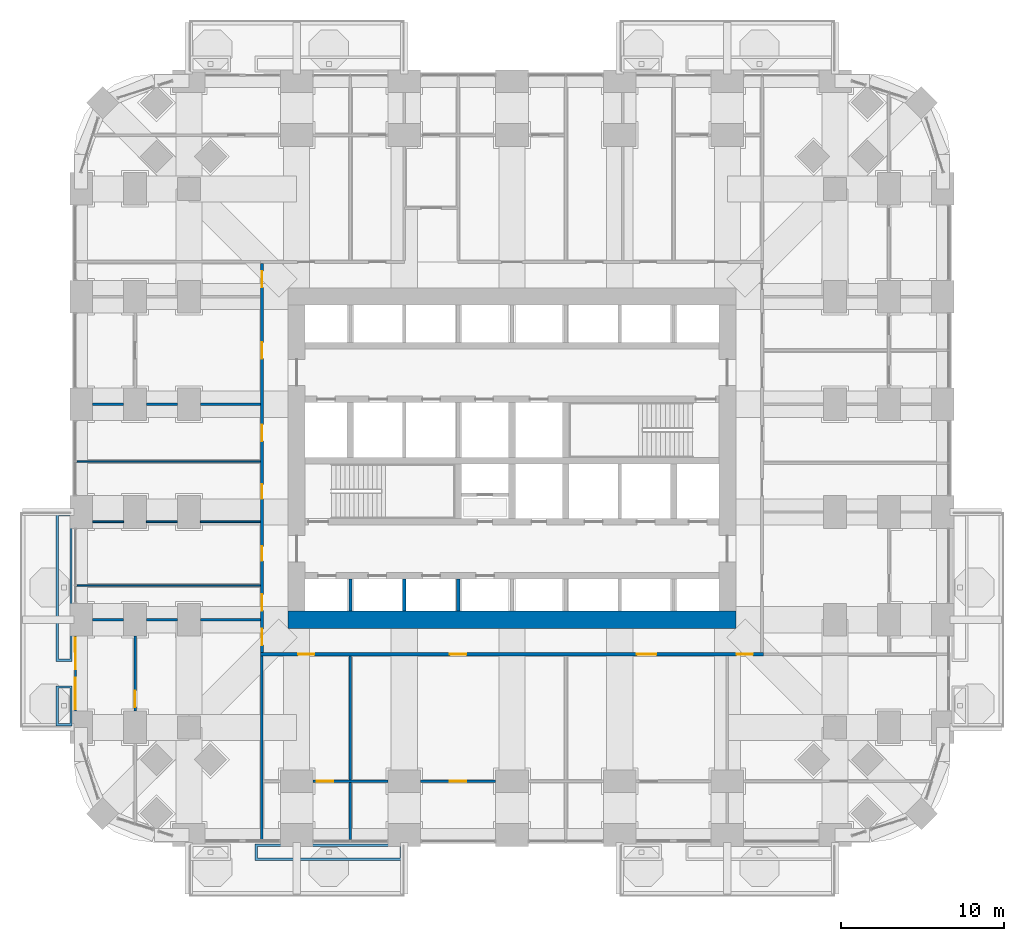
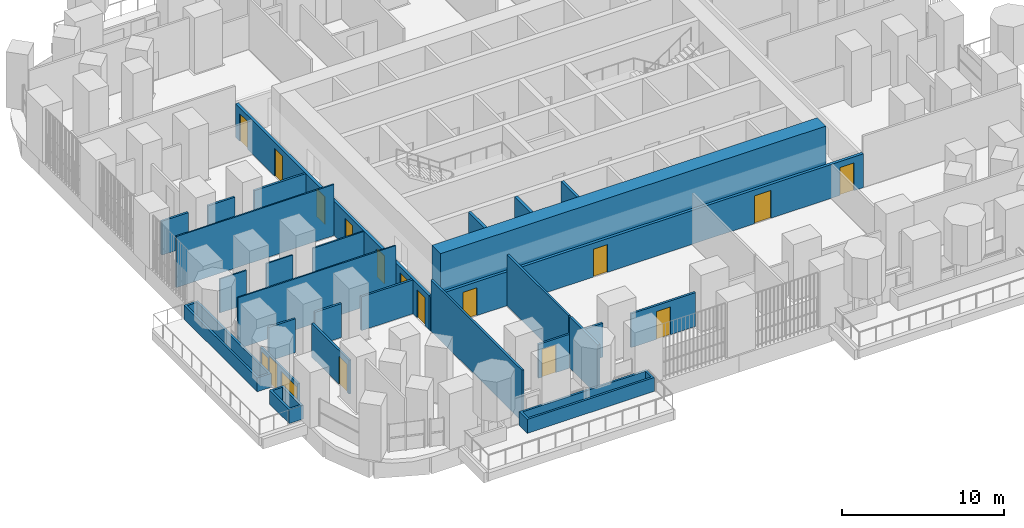
# One storey, part 17 of 27: 27 walls, 15 doors, 2 windows, 17 openings.
"""IFC4 building model written with IfcOpenShell, lengths in metres."""

from ifc_helpers import new_model, si_unit, direction, frame, frame_2d, origin, place, context, subcontext, project, spatial, polyline, rectangle, outline, extrude, material, layer, layer_set, type_object, element, fill, save


model = new_model("IFC4")

# Units and contexts
model_context = context("Model", 3, precision=1e-05, world=origin(), true_north=direction((0.0, 1.0)))
body_context = subcontext(model_context, "Body", "Model", "MODEL_VIEW")
ifc_project = project(units=[si_unit("LENGTHUNIT", "METRE"), si_unit("AREAUNIT", "SQUARE_METRE"), si_unit("VOLUMEUNIT", "CUBIC_METRE"), si_unit("PLANEANGLEUNIT", "RADIAN"), si_unit("MASSUNIT", "GRAM", prefix="KILO")], contexts=[model_context])

# Site, building, storey
site_placement = place(None, origin())
site = spatial("IfcSite", under=ifc_project, at=site_placement, CompositionType="ELEMENT")
building_placement = place(site_placement, origin())
building = spatial("IfcBuilding", under=site, at=building_placement, Name="Cobogo Forest Laboratory Tower", CompositionType="ELEMENT")
storey_placement = place(building_placement, frame((0.0, 0.0, 71.699951171875)))
storey = spatial("IfcBuildingStorey", under=building, at=storey_placement, Name="L16", CompositionType="ELEMENT", Elevation=71.699951171875)

# Wall
ifc_material_1 = material(Name="Concrete HA-50 (C50/60)", Category="concrete")
ifc_layer_1 = layer(ifc_material_1, 1.050048828125)
ifc_layer_set_1 = layer_set([ifc_layer_1], Name="CW1050 core outer wall 1050")
wall_type_1 = type_object("IfcWallType", Name="CW1050 core outer wall 1050", PredefinedType="SHEAR", material=ifc_layer_set_1)
wall_1_placement = place(storey_placement, frame((12.675048828125, 13.199951171875, 0.0), z_axis=(0.0, 0.0, 1.0), x_axis=(1.0, 0.0, 0.0)))
element("IfcWall", 1, at=wall_1_placement, inside=storey, type_object=wall_type_1, Name="Core wall CO-S L16", PredefinedType="SHEAR", context=body_context, shape_type="SweptSolid", body=[
    extrude(rectangle(XDim=27.449951171875, YDim=1.050048828125, at=frame_2d((13.72509765625, 0.0))), origin(), (0.0, 0.0, 1.0), 4.199951171875),
])

# Wall, openings, door, windows
ifc_material_2 = material(Name="Aluminium framed glazed screen", Category="aluminium")
ifc_layer_2 = layer(ifc_material_2, 0.14990234375)
ifc_layer_set_2 = layer_set([ifc_layer_2], Name="GS1 glazed door screen 150")
wall_type_2 = type_object("IfcWallType", Name="GS1 glazed door screen 150", PredefinedType="SOLIDWALL", material=ifc_layer_set_2)
wall_2_placement = place(storey_placement, frame((-0.35009765625, 12.199951171875, 0.0), z_axis=(0.0, 0.0, 1.0), x_axis=(0.0, -1.0, 0.0)))
wall_2 = element("IfcWall", 2, at=wall_2_placement, inside=storey, type_object=wall_type_2, Name="Door screen BAL-W1 L16", PredefinedType="SOLIDWALL", context=body_context, shape_type="SweptSolid", body=[
    extrude(rectangle(XDim=4.599853515625, YDim=0.14990234375, at=frame_2d((2.2998046875, 0.0))), origin(), (0.0, 0.0, 1.0), 2.050048828125),
])
opening_1_placement = place(wall_2_placement, frame((1.050048828125, 0.0, 0.0)))
opening_1 = element("IfcOpeningElement", 3, at=opening_1_placement, cuts=wall_2, Name="Opening L16-D08", PredefinedType="OPENING", context=body_context, shape_type="SweptSolid", body=[
    extrude(rectangle(XDim=1.0, YDim=2.0, at=frame_2d((0.5, 1.0))), frame((0.0, 0.0849609375, 0.0), z_axis=(0.0, -1.0, 0.0), x_axis=(1.0, 0.0, 0.0)), (0.0, 0.0, 1.0), 0.169921875),
])
opening_2_placement = place(wall_2_placement, frame((0.10009765625, 0.0, 0.10009765625)))
opening_2 = element("IfcOpeningElement", 4, at=opening_2_placement, cuts=wall_2, Name="Opening L16-W07", PredefinedType="OPENING", context=body_context, shape_type="SweptSolid", body=[
    extrude(rectangle(XDim=0.85009765625, YDim=1.64990234375, at=frame_2d((0.425048828125, 0.824951171875))), frame((0.0, 0.0849609375, 0.0), z_axis=(0.0, -1.0, 0.0), x_axis=(1.0, 0.0, 0.0)), (0.0, 0.0, 1.0), 0.169921875),
])
opening_3_placement = place(wall_2_placement, frame((2.550048828125, 0.0, 0.10009765625)))
opening_3 = element("IfcOpeningElement", 5, at=opening_3_placement, cuts=wall_2, Name="Opening L16-W05", PredefinedType="OPENING", context=body_context, shape_type="SweptSolid", body=[
    extrude(rectangle(XDim=1.949951171875, YDim=1.64990234375, at=frame_2d((0.97509765625, 0.824951171875))), frame((0.0, 0.0849609375, 0.0), z_axis=(0.0, -1.0, 0.0), x_axis=(1.0, 0.0, 0.0)), (0.0, 0.0, 1.0), 0.169921875),
])
ifc_material_3 = material(Name="Aluminium glazed door", Category="aluminium")
door_type_1 = type_object("IfcDoorType", Name="DB2 balcony door 1000 glazed 2000 high", OperationType="SINGLE_SWING_LEFT", PredefinedType="DOOR", material=ifc_material_3)
door_1_placement = place(opening_1_placement, origin())
door_1 = element("IfcDoor", 6, at=door_1_placement, inside=storey, type_object=door_type_1, Name="Door L16-BAL-W1", OperationType="SINGLE_SWING_LEFT", OverallHeight=2.0, OverallWidth=1.0, PredefinedType="DOOR", context=body_context, shape_type="SweptSolid", body=[
    extrude(rectangle(XDim=1.0, YDim=2.0, at=frame_2d((0.5, 1.0))), frame((0.0, 0.02490234375, 0.0), z_axis=(0.0, -1.0, 0.0), x_axis=(1.0, 0.0, 0.0)), (0.0, 0.0, 1.0), 0.050048828125),
])
fill(opening_1, door_1)
ifc_material_4 = material(Name="Aluminium framed glazing", Category="aluminium")
window_type_1 = type_object("IfcWindowType", Name="WG10 fixed glazed light 850x1650", PartitioningType="SINGLE_PANEL", PredefinedType="WINDOW", material=ifc_material_4)
window_1_placement = place(opening_2_placement, origin())
window_1 = element("IfcWindow", 7, at=window_1_placement, inside=storey, type_object=window_type_1, Name="Window L16-BAL-W1-1", OverallHeight=1.64990234375, OverallWidth=0.85009765625, PartitioningType="SINGLE_PANEL", PredefinedType="WINDOW", context=body_context, shape_type="SweptSolid", body=[
    extrude(rectangle(XDim=0.85009765625, YDim=1.64990234375, at=frame_2d((0.425048828125, 0.824951171875))), frame((0.0, 0.030029296875, 0.0), z_axis=(0.0, -1.0, 0.0), x_axis=(1.0, 0.0, 0.0)), (0.0, 0.0, 1.0), 0.06005859375),
])
fill(opening_2, window_1)
window_type_2 = type_object("IfcWindowType", Name="WG9 fixed glazed light 1950x1650", PartitioningType="SINGLE_PANEL", PredefinedType="WINDOW", material=ifc_material_4)
window_2_placement = place(opening_3_placement, origin())
window_2 = element("IfcWindow", 8, at=window_2_placement, inside=storey, type_object=window_type_2, Name="Window L16-BAL-W1-2", OverallHeight=1.64990234375, OverallWidth=1.949951171875, PartitioningType="SINGLE_PANEL", PredefinedType="WINDOW", context=body_context, shape_type="SweptSolid", body=[
    extrude(rectangle(XDim=1.949951171875, YDim=1.64990234375, at=frame_2d((0.97509765625, 0.824951171875))), frame((0.0, 0.030029296875, 0.0), z_axis=(0.0, -1.0, 0.0), x_axis=(1.0, 0.0, 0.0)), (0.0, 0.0, 1.0), 0.06005859375),
])
fill(opening_3, window_2)

# Wall
ifc_material_5 = material(Name="Gypsum board on steel studs", Category="steel")
ifc_layer_3 = layer(ifc_material_5, 0.14990234375)
ifc_layer_set_3 = layer_set([ifc_layer_3], Name="PT1 laboratory partition 150")
wall_type_3 = type_object("IfcWallType", Name="PT1 laboratory partition 150", PredefinedType="PARTITIONING", material=ifc_layer_set_3)
wall_3_placement = place(storey_placement, frame((11.074951171875, -0.27001953125, 0.0), z_axis=(0.0, 0.0, 1.0), x_axis=(0.0, 1.0, 0.0)))
element("IfcWall", 9, at=wall_3_placement, inside=storey, type_object=wall_type_3, Name="Partition PW-SW L16", PredefinedType="PARTITIONING", context=body_context, shape_type="SweptSolid", body=[
    extrude(rectangle(XDim=11.2451171875, YDim=0.14990234375, at=frame_2d((5.62255859375, 0.0))), origin(), (0.0, 0.0, 1.0), 3.85009765625),
])

# Wall, opening, door
wall_4_placement = place(storey_placement, frame((14.199951171875, 3.300048828125, 0.0), z_axis=(0.0, 0.0, 1.0), x_axis=(1.0, 0.0, 0.0)))
wall_4 = element("IfcWall", 10, at=wall_4_placement, inside=storey, type_object=wall_type_3, Name="Partition STRIP-S-2 L16", PredefinedType="PARTITIONING", context=body_context, shape_type="SweptSolid", body=[
    extrude(rectangle(XDim=4.60009765625, YDim=0.14990234375, at=frame_2d((2.300048828125, 0.0))), origin(), (0.0, 0.0, 1.0), 2.550048828125),
])
opening_4_placement = place(wall_4_placement, frame((0.25, 0.0, 0.0)))
opening_4 = element("IfcOpeningElement", 11, at=opening_4_placement, cuts=wall_4, Name="Opening L16-D03", PredefinedType="OPENING", context=body_context, shape_type="SweptSolid", body=[
    extrude(rectangle(XDim=1.0, YDim=2.10009765625, at=frame_2d((0.5, 1.050048828125))), frame((0.0, 0.0849609375, 0.0), z_axis=(0.0, -1.0, 0.0), x_axis=(1.0, 0.0, 0.0)), (0.0, 0.0, 1.0), 0.169921875),
])
ifc_material_6 = material(Name="Timber fire door", Category="wood")
door_type_2 = type_object("IfcDoorType", Name="FD2 fire door 1000 EI2 30", OperationType="SINGLE_SWING_LEFT", PredefinedType="DOOR", material=ifc_material_6)
door_2_placement = place(opening_4_placement, origin())
door_2 = element("IfcDoor", 12, at=door_2_placement, inside=storey, type_object=door_type_2, Name="Door L16-S1W", OperationType="SINGLE_SWING_LEFT", OverallHeight=2.10009765625, OverallWidth=1.0, PredefinedType="DOOR", context=body_context, shape_type="SweptSolid", body=[
    extrude(rectangle(XDim=1.0, YDim=2.10009765625, at=frame_2d((0.5, 1.050048828125))), frame((0.0, 0.02490234375, 0.0), z_axis=(0.0, -1.0, 0.0), x_axis=(1.0, 0.0, 0.0)), (0.0, 0.0, 1.0), 0.050048828125),
])
fill(opening_4, door_2)

wall_5_placement = place(storey_placement, frame((20.800048828125, 3.300048828125, 0.0), z_axis=(0.0, 0.0, 1.0), x_axis=(1.0, 0.0, 0.0)))
wall_5 = element("IfcWall", 13, at=wall_5_placement, inside=storey, type_object=wall_type_3, Name="Partition STRIP-S-3 L16", PredefinedType="PARTITIONING", context=body_context, shape_type="SweptSolid", body=[
    extrude(rectangle(XDim=4.599853515625, YDim=0.14990234375, at=frame_2d((2.2998046875, 0.0))), origin(), (0.0, 0.0, 1.0), 2.550048828125),
])
opening_5_placement = place(wall_5_placement, frame((1.800048828125, 0.0, 0.0)))
opening_5 = element("IfcOpeningElement", 14, at=opening_5_placement, cuts=wall_5, Name="Opening L16-D04", PredefinedType="OPENING", context=body_context, shape_type="SweptSolid", body=[
    extrude(rectangle(XDim=1.0, YDim=2.10009765625, at=frame_2d((0.5, 1.050048828125))), frame((0.0, 0.0849609375, 0.0), z_axis=(0.0, -1.0, 0.0), x_axis=(1.0, 0.0, 0.0)), (0.0, 0.0, 1.0), 0.169921875),
])
door_3_placement = place(opening_5_placement, origin())
door_3 = element("IfcDoor", 15, at=door_3_placement, inside=storey, type_object=door_type_2, Name="Door L16-S2W", OperationType="SINGLE_SWING_LEFT", OverallHeight=2.10009765625, OverallWidth=1.0, PredefinedType="DOOR", context=body_context, shape_type="SweptSolid", body=[
    extrude(rectangle(XDim=1.0, YDim=2.10009765625, at=frame_2d((0.5, 1.050048828125))), frame((0.0, 0.02490234375, 0.0), z_axis=(0.0, -1.0, 0.0), x_axis=(1.0, 0.0, 0.0)), (0.0, 0.0, 1.0), 0.050048828125),
])
fill(opening_5, door_3)

# Walls
wall_6_placement = place(storey_placement, frame((16.5, -0.27001953125, 0.0), z_axis=(0.0, 0.0, 1.0), x_axis=(0.0, 1.0, 0.0)))
element("IfcWall", 16, at=wall_6_placement, inside=storey, type_object=wall_type_3, Name="Partition CUT-S16.5a-1 L16", PredefinedType="PARTITIONING", context=body_context, shape_type="SweptSolid", body=[
    extrude(rectangle(XDim=3.4951171875, YDim=0.14990234375, at=frame_2d((1.74755859375, 0.0))), origin(), (0.0, 0.0, 1.0), 3.85009765625),
])
wall_7_placement = place(storey_placement, frame((16.5, 3.375, 0.0), z_axis=(0.0, 0.0, 1.0), x_axis=(0.0, 1.0, 0.0)))
element("IfcWall", 17, at=wall_7_placement, inside=storey, type_object=wall_type_3, Name="Partition CUT-S16.5b-1 L16", PredefinedType="PARTITIONING", context=body_context, shape_type="SweptSolid", body=[
    extrude(rectangle(XDim=7.60009765625, YDim=0.14990234375, at=frame_2d((3.800048828125, 0.0))), origin(), (0.0, 0.0, 1.0), 3.85009765625),
])

# Wall, opening, door
wall_8_placement = place(storey_placement, frame((3.300048828125, 12.199951171875, 0.0), z_axis=(0.0, 0.0, 1.0), x_axis=(0.0, -1.0, 0.0)))
wall_8 = element("IfcWall", 18, at=wall_8_placement, inside=storey, type_object=wall_type_3, Name="Partition STRIP-W-2 L16", PredefinedType="PARTITIONING", context=body_context, shape_type="SweptSolid", body=[
    extrude(rectangle(XDim=4.599853515625, YDim=0.14990234375, at=frame_2d((2.2998046875, 0.0))), origin(), (0.0, 0.0, 1.0), 2.550048828125),
])
opening_6_placement = place(wall_8_placement, frame((3.35009765625, 0.0, 0.0)))
opening_6 = element("IfcOpeningElement", 19, at=opening_6_placement, cuts=wall_8, Name="Opening L16-D07", PredefinedType="OPENING", context=body_context, shape_type="SweptSolid", body=[
    extrude(rectangle(XDim=1.0, YDim=2.10009765625, at=frame_2d((0.5, 1.050048828125))), frame((0.0, 0.0849609375, 0.0), z_axis=(0.0, -1.0, 0.0), x_axis=(1.0, 0.0, 0.0)), (0.0, 0.0, 1.0), 0.169921875),
])
door_4_placement = place(opening_6_placement, origin())
door_4 = element("IfcDoor", 20, at=door_4_placement, inside=storey, type_object=door_type_2, Name="Door L16-W1W", OperationType="SINGLE_SWING_RIGHT", OverallHeight=2.10009765625, OverallWidth=1.0, PredefinedType="DOOR", context=body_context, shape_type="SweptSolid", body=[
    extrude(rectangle(XDim=1.0, YDim=2.10009765625, at=frame_2d((0.5, 1.050048828125))), frame((0.0, 0.02490234375, 0.0), z_axis=(0.0, -1.0, 0.0), x_axis=(1.0, 0.0, 0.0)), (0.0, 0.0, 1.0), 0.050048828125),
])
fill(opening_6, door_4)

# Walls
wall_9_placement = place(storey_placement, frame((0.699951171875, 13.199951171875, 0.0), z_axis=(0.0, 0.0, 1.0), x_axis=(1.0, 0.0, 0.0)))
element("IfcWall", 21, at=wall_9_placement, inside=storey, type_object=wall_type_3, Name="Partition CUT-W13.2-1 L16", PredefinedType="PARTITIONING", context=body_context, shape_type="SweptSolid", body=[
    extrude(rectangle(XDim=1.900146484375, YDim=0.14990234375, at=frame_2d((0.9501953125, 0.0))), origin(), (0.0, 0.0, 1.0), 2.550048828125),
])
wall_10_placement = place(storey_placement, frame((4.0, 13.199951171875, 0.0), z_axis=(0.0, 0.0, 1.0), x_axis=(1.0, 0.0, 0.0)))
element("IfcWall", 22, at=wall_10_placement, inside=storey, type_object=wall_type_3, Name="Partition CUT-W13.2-2 L16", PredefinedType="PARTITIONING", context=body_context, shape_type="SweptSolid", body=[
    extrude(rectangle(XDim=1.89990234375, YDim=0.14990234375, at=frame_2d((0.949951171875, 0.0))), origin(), (0.0, 0.0, 1.0), 2.550048828125),
])
wall_11_placement = place(storey_placement, frame((7.300048828125, 13.199951171875, 0.0), z_axis=(0.0, 0.0, 1.0), x_axis=(1.0, 0.0, 0.0)))
element("IfcWall", 23, at=wall_11_placement, inside=storey, type_object=wall_type_3, Name="Partition CUT-W13.2-3 L16", PredefinedType="PARTITIONING", context=body_context, shape_type="SweptSolid", body=[
    extrude(rectangle(XDim=3.675048828125, YDim=0.14990234375, at=frame_2d((1.83740234375, 0.0))), origin(), (0.0, 0.0, 1.0), 2.550048828125),
])
wall_12_placement = place(storey_placement, frame((0.699951171875, 26.39990234375, 0.0), z_axis=(0.0, 0.0, 1.0), x_axis=(1.0, 0.0, 0.0)))
element("IfcWall", 24, at=wall_12_placement, inside=storey, type_object=wall_type_3, Name="Partition CUT-W26.4-1 L16", PredefinedType="PARTITIONING", context=body_context, shape_type="SweptSolid", body=[
    extrude(rectangle(XDim=1.900146484375, YDim=0.14990234375, at=frame_2d((0.9501953125, 0.0))), origin(), (0.0, 0.0, 1.0), 2.550048828125),
])
wall_13_placement = place(storey_placement, frame((4.0, 26.39990234375, 0.0), z_axis=(0.0, 0.0, 1.0), x_axis=(1.0, 0.0, 0.0)))
element("IfcWall", 25, at=wall_13_placement, inside=storey, type_object=wall_type_3, Name="Partition CUT-W26.4-2 L16", PredefinedType="PARTITIONING", context=body_context, shape_type="SweptSolid", body=[
    extrude(rectangle(XDim=1.89990234375, YDim=0.14990234375, at=frame_2d((0.949951171875, 0.0))), origin(), (0.0, 0.0, 1.0), 2.550048828125),
])
wall_14_placement = place(storey_placement, frame((7.300048828125, 26.39990234375, 0.0), z_axis=(0.0, 0.0, 1.0), x_axis=(1.0, 0.0, 0.0)))
element("IfcWall", 26, at=wall_14_placement, inside=storey, type_object=wall_type_3, Name="Partition CUT-W26.4-3 L16", PredefinedType="PARTITIONING", context=body_context, shape_type="SweptSolid", body=[
    extrude(rectangle(XDim=3.675048828125, YDim=0.14990234375, at=frame_2d((1.83740234375, 0.0))), origin(), (0.0, 0.0, 1.0), 2.550048828125),
])

# Wall, openings, doors
ifc_layer_4 = layer(ifc_material_5, 0.199951171875)
ifc_layer_set_4 = layer_set([ifc_layer_4], Name="PT2 fire-rated corridor partition 200")
wall_type_4 = type_object("IfcWallType", Name="PT2 fire-rated corridor partition 200", PredefinedType="PARTITIONING", material=ifc_layer_set_4)
wall_15_placement = place(storey_placement, frame((10.97509765625, 11.074951171875, 0.0), z_axis=(0.0, 0.0, 1.0), x_axis=(1.0, 0.0, 0.0)))
wall_15 = element("IfcWall", 27, at=wall_15_placement, inside=storey, type_object=wall_type_4, Name="Partition CORR-S L16", PredefinedType="PARTITIONING", context=body_context, shape_type="SweptSolid", body=[
    extrude(rectangle(XDim=30.849853515625, YDim=0.199951171875, at=frame_2d((15.4248046875, 0.0))), origin(), (0.0, 0.0, 1.0), 2.550048828125),
])
opening_7_placement = place(wall_15_placement, frame((2.3125, 0.0, 0.0)))
opening_7 = element("IfcOpeningElement", 28, at=opening_7_placement, cuts=wall_15, Name="Opening L16-D10", PredefinedType="OPENING", context=body_context, shape_type="SweptSolid", body=[
    extrude(rectangle(XDim=1.0, YDim=2.10009765625, at=frame_2d((0.5, 1.050048828125))), frame((0.0, 0.10986328125, 0.0), z_axis=(0.0, -1.0, 0.0), x_axis=(1.0, 0.0, 0.0)), (0.0, 0.0, 1.0), 0.219970703125),
])
opening_8_placement = place(wall_15_placement, frame((11.625, 0.0, 0.0)))
opening_8 = element("IfcOpeningElement", 29, at=opening_8_placement, cuts=wall_15, Name="Opening L16-D11", PredefinedType="OPENING", context=body_context, shape_type="SweptSolid", body=[
    extrude(rectangle(XDim=1.0, YDim=2.10009765625, at=frame_2d((0.5, 1.050048828125))), frame((0.0, 0.10986328125, 0.0), z_axis=(0.0, -1.0, 0.0), x_axis=(1.0, 0.0, 0.0)), (0.0, 0.0, 1.0), 0.219970703125),
])
opening_9_placement = place(wall_15_placement, frame((23.074951171875, 0.0, 0.0)))
opening_9 = element("IfcOpeningElement", 30, at=opening_9_placement, cuts=wall_15, Name="Opening L16-D12", PredefinedType="OPENING", context=body_context, shape_type="SweptSolid", body=[
    extrude(rectangle(XDim=1.199951171875, YDim=2.10009765625, at=frame_2d((0.60009765625, 1.050048828125))), frame((0.0, 0.10986328125, 0.0), z_axis=(0.0, -1.0, 0.0), x_axis=(1.0, 0.0, 0.0)), (0.0, 0.0, 1.0), 0.219970703125),
])
opening_10_placement = place(wall_15_placement, frame((29.1875, 0.0, 0.0)))
opening_10 = element("IfcOpeningElement", 31, at=opening_10_placement, cuts=wall_15, Name="Opening L16-D13", PredefinedType="OPENING", context=body_context, shape_type="SweptSolid", body=[
    extrude(rectangle(XDim=1.0, YDim=2.10009765625, at=frame_2d((0.5, 1.050048828125))), frame((0.0, 0.10986328125, 0.0), z_axis=(0.0, -1.0, 0.0), x_axis=(1.0, 0.0, 0.0)), (0.0, 0.0, 1.0), 0.219970703125),
])
ifc_material_7 = material(Name="Timber door", Category="wood")
door_type_3 = type_object("IfcDoorType", Name="D2 laboratory door 1200 unequal pair", OperationType="DOUBLE_DOOR_SINGLE_SWING", PredefinedType="DOOR", material=ifc_material_7)
door_5_placement = place(opening_9_placement, origin())
door_5 = element("IfcDoor", 32, at=door_5_placement, inside=storey, type_object=door_type_3, Name="Door L16-S3", OperationType="DOUBLE_DOOR_SINGLE_SWING", OverallHeight=2.10009765625, OverallWidth=1.199951171875, PredefinedType="DOOR", context=body_context, shape_type="SweptSolid", body=[
    extrude(rectangle(XDim=1.199951171875, YDim=2.10009765625, at=frame_2d((0.60009765625, 1.050048828125))), frame((0.0, 0.02490234375, 0.0), z_axis=(0.0, -1.0, 0.0), x_axis=(1.0, 0.0, 0.0)), (0.0, 0.0, 1.0), 0.050048828125),
])
fill(opening_9, door_5)
door_6_placement = place(opening_7_placement, origin())
door_6 = element("IfcDoor", 33, at=door_6_placement, inside=storey, type_object=door_type_2, Name="Door L16-S1", OperationType="SINGLE_SWING_LEFT", OverallHeight=2.10009765625, OverallWidth=1.0, PredefinedType="DOOR", context=body_context, shape_type="SweptSolid", body=[
    extrude(rectangle(XDim=1.0, YDim=2.10009765625, at=frame_2d((0.5, 1.050048828125))), frame((0.0, 0.02490234375, 0.0), z_axis=(0.0, -1.0, 0.0), x_axis=(1.0, 0.0, 0.0)), (0.0, 0.0, 1.0), 0.050048828125),
])
fill(opening_7, door_6)
door_7_placement = place(opening_8_placement, origin())
door_7 = element("IfcDoor", 34, at=door_7_placement, inside=storey, type_object=door_type_2, Name="Door L16-S2", OperationType="SINGLE_SWING_LEFT", OverallHeight=2.10009765625, OverallWidth=1.0, PredefinedType="DOOR", context=body_context, shape_type="SweptSolid", body=[
    extrude(rectangle(XDim=1.0, YDim=2.10009765625, at=frame_2d((0.5, 1.050048828125))), frame((0.0, 0.02490234375, 0.0), z_axis=(0.0, -1.0, 0.0), x_axis=(1.0, 0.0, 0.0)), (0.0, 0.0, 1.0), 0.050048828125),
])
fill(opening_8, door_7)
door_8_placement = place(opening_10_placement, origin())
door_8 = element("IfcDoor", 35, at=door_8_placement, inside=storey, type_object=door_type_2, Name="Door L16-S4", OperationType="SINGLE_SWING_RIGHT", OverallHeight=2.10009765625, OverallWidth=1.0, PredefinedType="DOOR", context=body_context, shape_type="SweptSolid", body=[
    extrude(rectangle(XDim=1.0, YDim=2.10009765625, at=frame_2d((0.5, 1.050048828125))), frame((0.0, 0.02490234375, 0.0), z_axis=(0.0, -1.0, 0.0), x_axis=(1.0, 0.0, 0.0)), (0.0, 0.0, 1.0), 0.050048828125),
])
fill(opening_10, door_8)

wall_16_placement = place(storey_placement, frame((11.074951171875, 11.175048828125, 0.0), z_axis=(0.0, 0.0, 1.0), x_axis=(0.0, 1.0, 0.0)))
wall_16 = element("IfcWall", 36, at=wall_16_placement, inside=storey, type_object=wall_type_4, Name="Partition CORR-W L16", PredefinedType="PARTITIONING", context=body_context, shape_type="SweptSolid", body=[
    extrude(rectangle(XDim=23.849853515625, YDim=0.199951171875, at=frame_2d((11.9248046875, 0.0))), origin(), (0.0, 0.0, 1.0), 2.550048828125),
])
opening_11_placement = place(wall_16_placement, frame((0.46240234375, 0.0, 0.0)))
opening_11 = element("IfcOpeningElement", 37, at=opening_11_placement, cuts=wall_16, Name="Opening L16-D14", PredefinedType="OPENING", context=body_context, shape_type="SweptSolid", body=[
    extrude(rectangle(XDim=1.0, YDim=2.10009765625, at=frame_2d((0.5, 1.050048828125))), frame((0.0, 0.10986328125, 0.0), z_axis=(0.0, -1.0, 0.0), x_axis=(1.0, 0.0, 0.0)), (0.0, 0.0, 1.0), 0.219970703125),
])
opening_12_placement = place(wall_16_placement, frame((2.574951171875, 0.0, 0.0)))
opening_12 = element("IfcOpeningElement", 38, at=opening_12_placement, cuts=wall_16, Name="Opening L16-D15", PredefinedType="OPENING", context=body_context, shape_type="SweptSolid", body=[
    extrude(rectangle(XDim=1.0, YDim=2.10009765625, at=frame_2d((0.5, 1.050048828125))), frame((0.0, 0.10986328125, 0.0), z_axis=(0.0, -1.0, 0.0), x_axis=(1.0, 0.0, 0.0)), (0.0, 0.0, 1.0), 0.219970703125),
])
opening_13_placement = place(wall_16_placement, frame((5.625, 0.0, 0.0)))
opening_13 = element("IfcOpeningElement", 39, at=opening_13_placement, cuts=wall_16, Name="Opening L16-D18", PredefinedType="OPENING", context=body_context, shape_type="SweptSolid", body=[
    extrude(rectangle(XDim=0.89990234375, YDim=2.10009765625, at=frame_2d((0.449951171875, 1.050048828125))), frame((0.0, 0.10986328125, 0.0), z_axis=(0.0, -1.0, 0.0), x_axis=(1.0, 0.0, 0.0)), (0.0, 0.0, 1.0), 0.219970703125),
])
opening_14_placement = place(wall_16_placement, frame((9.425048828125, 0.0, 0.0)))
opening_14 = element("IfcOpeningElement", 40, at=opening_14_placement, cuts=wall_16, Name="Opening L16-D25", PredefinedType="OPENING", context=body_context, shape_type="SweptSolid", body=[
    extrude(rectangle(XDim=0.89990234375, YDim=2.10009765625, at=frame_2d((0.449951171875, 1.050048828125))), frame((0.0, 0.10986328125, 0.0), z_axis=(0.0, -1.0, 0.0), x_axis=(1.0, 0.0, 0.0)), (0.0, 0.0, 1.0), 0.219970703125),
])
opening_15_placement = place(wall_16_placement, frame((12.97509765625, 0.0, 0.0)))
opening_15 = element("IfcOpeningElement", 41, at=opening_15_placement, cuts=wall_16, Name="Opening L16-D28", PredefinedType="OPENING", context=body_context, shape_type="SweptSolid", body=[
    extrude(rectangle(XDim=1.0, YDim=2.10009765625, at=frame_2d((0.5, 1.050048828125))), frame((0.0, 0.10986328125, 0.0), z_axis=(0.0, -1.0, 0.0), x_axis=(1.0, 0.0, 0.0)), (0.0, 0.0, 1.0), 0.219970703125),
])
opening_16_placement = place(wall_16_placement, frame((18.02490234375, 0.0, 0.0)))
opening_16 = element("IfcOpeningElement", 42, at=opening_16_placement, cuts=wall_16, Name="Opening L16-D35", PredefinedType="OPENING", context=body_context, shape_type="SweptSolid", body=[
    extrude(rectangle(XDim=1.0, YDim=2.10009765625, at=frame_2d((0.5, 1.050048828125))), frame((0.0, 0.10986328125, 0.0), z_axis=(0.0, -1.0, 0.0), x_axis=(1.0, 0.0, 0.0)), (0.0, 0.0, 1.0), 0.219970703125),
])
opening_17_placement = place(wall_16_placement, frame((22.387451171875, 0.0, 0.0)))
opening_17 = element("IfcOpeningElement", 43, at=opening_17_placement, cuts=wall_16, Name="Opening L16-D38", PredefinedType="OPENING", context=body_context, shape_type="SweptSolid", body=[
    extrude(rectangle(XDim=1.0, YDim=2.10009765625, at=frame_2d((0.5, 1.050048828125))), frame((0.0, 0.10986328125, 0.0), z_axis=(0.0, -1.0, 0.0), x_axis=(1.0, 0.0, 0.0)), (0.0, 0.0, 1.0), 0.219970703125),
])
door_9_placement = place(opening_11_placement, origin())
door_9 = element("IfcDoor", 44, at=door_9_placement, inside=storey, type_object=door_type_2, Name="Door L16-W1", OperationType="SINGLE_SWING_LEFT", OverallHeight=2.10009765625, OverallWidth=1.0, PredefinedType="DOOR", context=body_context, shape_type="SweptSolid", body=[
    extrude(rectangle(XDim=1.0, YDim=2.10009765625, at=frame_2d((0.5, 1.050048828125))), frame((0.0, 0.02490234375, 0.0), z_axis=(0.0, -1.0, 0.0), x_axis=(1.0, 0.0, 0.0)), (0.0, 0.0, 1.0), 0.050048828125),
])
fill(opening_11, door_9)
door_10_placement = place(opening_15_placement, origin())
door_10 = element("IfcDoor", 45, at=door_10_placement, inside=storey, type_object=door_type_2, Name="Door L16-SHW", OperationType="SINGLE_SWING_RIGHT", OverallHeight=2.10009765625, OverallWidth=1.0, PredefinedType="DOOR", context=body_context, shape_type="SweptSolid", body=[
    extrude(rectangle(XDim=1.0, YDim=2.10009765625, at=frame_2d((0.5, 1.050048828125))), frame((0.0, 0.02490234375, 0.0), z_axis=(0.0, -1.0, 0.0), x_axis=(1.0, 0.0, 0.0)), (0.0, 0.0, 1.0), 0.050048828125),
])
fill(opening_15, door_10)
door_11_placement = place(opening_16_placement, origin())
door_11 = element("IfcDoor", 46, at=door_11_placement, inside=storey, type_object=door_type_2, Name="Door L16-W3", OperationType="SINGLE_SWING_RIGHT", OverallHeight=2.10009765625, OverallWidth=1.0, PredefinedType="DOOR", context=body_context, shape_type="SweptSolid", body=[
    extrude(rectangle(XDim=1.0, YDim=2.10009765625, at=frame_2d((0.5, 1.050048828125))), frame((0.0, 0.02490234375, 0.0), z_axis=(0.0, -1.0, 0.0), x_axis=(1.0, 0.0, 0.0)), (0.0, 0.0, 1.0), 0.050048828125),
])
fill(opening_16, door_11)
door_12_placement = place(opening_17_placement, origin())
door_12 = element("IfcDoor", 47, at=door_12_placement, inside=storey, type_object=door_type_2, Name="Door L16-W4", OperationType="SINGLE_SWING_RIGHT", OverallHeight=2.10009765625, OverallWidth=1.0, PredefinedType="DOOR", context=body_context, shape_type="SweptSolid", body=[
    extrude(rectangle(XDim=1.0, YDim=2.10009765625, at=frame_2d((0.5, 1.050048828125))), frame((0.0, 0.02490234375, 0.0), z_axis=(0.0, -1.0, 0.0), x_axis=(1.0, 0.0, 0.0)), (0.0, 0.0, 1.0), 0.050048828125),
])
fill(opening_17, door_12)
door_type_4 = type_object("IfcDoorType", Name="FD3 toilet fire door 900 EI2 30", OperationType="SINGLE_SWING_LEFT", PredefinedType="DOOR", material=ifc_material_6)
door_13_placement = place(opening_13_placement, origin())
door_13 = element("IfcDoor", 48, at=door_13_placement, inside=storey, type_object=door_type_4, Name="Door L16-WCF", OperationType="SINGLE_SWING_LEFT", OverallHeight=2.10009765625, OverallWidth=0.89990234375, PredefinedType="DOOR", context=body_context, shape_type="SweptSolid", body=[
    extrude(rectangle(XDim=0.89990234375, YDim=2.10009765625, at=frame_2d((0.449951171875, 1.050048828125))), frame((0.0, 0.02490234375, 0.0), z_axis=(0.0, -1.0, 0.0), x_axis=(1.0, 0.0, 0.0)), (0.0, 0.0, 1.0), 0.050048828125),
])
fill(opening_13, door_13)
door_14_placement = place(opening_14_placement, origin())
door_14 = element("IfcDoor", 49, at=door_14_placement, inside=storey, type_object=door_type_4, Name="Door L16-WCM", OperationType="SINGLE_SWING_LEFT", OverallHeight=2.10009765625, OverallWidth=0.89990234375, PredefinedType="DOOR", context=body_context, shape_type="SweptSolid", body=[
    extrude(rectangle(XDim=0.89990234375, YDim=2.10009765625, at=frame_2d((0.449951171875, 1.050048828125))), frame((0.0, 0.02490234375, 0.0), z_axis=(0.0, -1.0, 0.0), x_axis=(1.0, 0.0, 0.0)), (0.0, 0.0, 1.0), 0.050048828125),
])
fill(opening_14, door_14)
door_type_5 = type_object("IfcDoorType", Name="FDA1 accessible toilet fire door 1000 EI2 30", OperationType="SINGLE_SWING_RIGHT", PredefinedType="DOOR", material=ifc_material_6)
door_15_placement = place(opening_12_placement, origin())
door_15 = element("IfcDoor", 50, at=door_15_placement, inside=storey, type_object=door_type_5, Name="Door L16-WCA", OperationType="SINGLE_SWING_LEFT", OverallHeight=2.10009765625, OverallWidth=1.0, PredefinedType="DOOR", context=body_context, shape_type="SweptSolid", body=[
    extrude(rectangle(XDim=1.0, YDim=2.10009765625, at=frame_2d((0.5, 1.050048828125))), frame((0.0, 0.02490234375, 0.0), z_axis=(0.0, -1.0, 0.0), x_axis=(1.0, 0.0, 0.0)), (0.0, 0.0, 1.0), 0.050048828125),
])
fill(opening_12, door_15)

# Walls
ifc_layer_5 = layer(ifc_material_5, 0.10009765625)
ifc_layer_set_5 = layer_set([ifc_layer_5], Name="PT3 toilet partition 100")
wall_type_5 = type_object("IfcWallType", Name="PT3 toilet partition 100", PredefinedType="PARTITIONING", material=ifc_layer_set_5)
wall_17_placement = place(storey_placement, frame((-0.27001953125, 15.300048828125, 0.0), z_axis=(0.0, 0.0, 1.0), x_axis=(1.0, 0.0, 0.0)))
element("IfcWall", 51, at=wall_17_placement, inside=storey, type_object=wall_type_5, Name="Partition SVC-W1-1 L16", PredefinedType="PARTITIONING", context=body_context, shape_type="SweptSolid", body=[
    extrude(rectangle(XDim=11.2451171875, YDim=0.10009765625, at=frame_2d((5.62255859375, 0.0))), origin(), (0.0, 0.0, 1.0), 3.85009765625),
])
wall_18_placement = place(storey_placement, frame((0.699951171875, 19.199951171875, 0.0), z_axis=(0.0, 0.0, 1.0), x_axis=(1.0, 0.0, 0.0)))
element("IfcWall", 52, at=wall_18_placement, inside=storey, type_object=wall_type_5, Name="Partition SVC-W2-1 L16", PredefinedType="PARTITIONING", context=body_context, shape_type="SweptSolid", body=[
    extrude(rectangle(XDim=1.900146484375, YDim=0.10009765625, at=frame_2d((0.9501953125, 0.0))), origin(), (0.0, 0.0, 1.0), 2.550048828125),
])
wall_19_placement = place(storey_placement, frame((4.0, 19.199951171875, 0.0), z_axis=(0.0, 0.0, 1.0), x_axis=(1.0, 0.0, 0.0)))
element("IfcWall", 53, at=wall_19_placement, inside=storey, type_object=wall_type_5, Name="Partition SVC-W2-2 L16", PredefinedType="PARTITIONING", context=body_context, shape_type="SweptSolid", body=[
    extrude(rectangle(XDim=1.89990234375, YDim=0.10009765625, at=frame_2d((0.949951171875, 0.0))), origin(), (0.0, 0.0, 1.0), 2.550048828125),
])
wall_20_placement = place(storey_placement, frame((7.300048828125, 19.199951171875, 0.0), z_axis=(0.0, 0.0, 1.0), x_axis=(1.0, 0.0, 0.0)))
element("IfcWall", 54, at=wall_20_placement, inside=storey, type_object=wall_type_5, Name="Partition SVC-W2-3 L16", PredefinedType="PARTITIONING", context=body_context, shape_type="SweptSolid", body=[
    extrude(rectangle(XDim=3.675048828125, YDim=0.10009765625, at=frame_2d((1.83740234375, 0.0))), origin(), (0.0, 0.0, 1.0), 2.550048828125),
])
wall_21_placement = place(storey_placement, frame((-0.27001953125, 22.89990234375, 0.0), z_axis=(0.0, 0.0, 1.0), x_axis=(1.0, 0.0, 0.0)))
element("IfcWall", 55, at=wall_21_placement, inside=storey, type_object=wall_type_5, Name="Partition SVC-W3-1 L16", PredefinedType="PARTITIONING", context=body_context, shape_type="SweptSolid", body=[
    extrude(rectangle(XDim=11.2451171875, YDim=0.10009765625, at=frame_2d((5.62255859375, 0.0))), origin(), (0.0, 0.0, 1.0), 3.85009765625),
])
ifc_material_8 = material(Name="Concrete HA-40 (C40/50)", Category="concrete")
ifc_layer_6 = layer(ifc_material_8, 0.14990234375)
ifc_layer_set_6 = layer_set([ifc_layer_6], Name="Planter box 1000x1050")
wall_type_6 = type_object("IfcWallType", Name="Planter box 1000x1050", PredefinedType="USERDEFINED", material=ifc_layer_set_6)
wall_22_placement = place(storey_placement, origin())
element("IfcWall", 56, at=wall_22_placement, inside=storey, type_object=wall_type_6, Name="Planter BAL-S1-2 L16", ObjectType="PLANTER", PredefinedType="USERDEFINED", context=body_context, shape_type="SweptSolid", body=[
    extrude(outline(polyline([(10.64990234375, -1.550048828125), (19.699951171875, -1.550048828125), (19.699951171875, -0.550048828125), (10.64990234375, -0.550048828125), (10.64990234375, -1.550048828125)]), holes=[polyline([(10.800048828125, -1.39990234375), (19.550048828125, -1.39990234375), (19.550048828125, -0.699951171875), (10.800048828125, -0.699951171875), (10.800048828125, -1.39990234375)])]), origin(), (0.0, 0.0, 1.0), 1.050048828125),
])
wall_23_placement = place(storey_placement, origin())
element("IfcWall", 57, at=wall_23_placement, inside=storey, type_object=wall_type_6, Name="Planter BAL-W1-1 L16", ObjectType="PLANTER", PredefinedType="USERDEFINED", context=body_context, shape_type="SweptSolid", body=[
    extrude(outline(polyline([(-1.550048828125, 6.699951171875), (-0.550048828125, 6.699951171875), (-0.550048828125, 9.14990234375), (-1.550048828125, 9.14990234375), (-1.550048828125, 6.699951171875)]), holes=[polyline([(-1.39990234375, 6.85009765625), (-0.699951171875, 6.85009765625), (-0.699951171875, 9.0), (-1.39990234375, 9.0), (-1.39990234375, 6.85009765625)])]), origin(), (0.0, 0.0, 1.0), 1.050048828125),
])
wall_24_placement = place(storey_placement, origin())
element("IfcWall", 58, at=wall_24_placement, inside=storey, type_object=wall_type_6, Name="Planter BAL-W1-2 L16", ObjectType="PLANTER", PredefinedType="USERDEFINED", context=body_context, shape_type="SweptSolid", body=[
    extrude(outline(polyline([(-1.550048828125, 10.64990234375), (-0.550048828125, 10.64990234375), (-0.550048828125, 19.699951171875), (-1.550048828125, 19.699951171875), (-1.550048828125, 10.64990234375)]), holes=[polyline([(-1.39990234375, 10.800048828125), (-0.699951171875, 10.800048828125), (-0.699951171875, 19.550048828125), (-1.39990234375, 19.550048828125), (-1.39990234375, 10.800048828125)])]), origin(), (0.0, 0.0, 1.0), 1.050048828125),
])
ifc_material_9 = material(Name="Concrete block", Category="concrete")
ifc_layer_7 = layer(ifc_material_9, 0.199951171875)
ifc_layer_set_7 = layer_set([ifc_layer_7], Name="SW200 lift shaft separator 200")
wall_type_7 = type_object("IfcWallType", Name="SW200 lift shaft separator 200", PredefinedType="PARTITIONING", material=ifc_layer_set_7)
for number, where, z_axis, x_axis, name in (
    (59, (16.5, 13.72509765625, 0.0), (0.0, 0.0, 1.0), (0.0, 1.0, 0.0), "Core wall SEP-S1 L16"),
    (60, (19.800048828125, 13.72509765625, 0.0), (0.0, 0.0, 1.0), (0.0, 1.0, 0.0), "Core wall SEP-S2 L16"),
    (61, (23.10009765625, 13.72509765625, 0.0), (0.0, 0.0, 1.0), (0.0, 1.0, 0.0), "Core wall SEP-S3 L16"),
):
    element("IfcWall", number, at=place(storey_placement, frame(where, z_axis=z_axis, x_axis=x_axis)), inside=storey, type_object=wall_type_7, Name=name, PredefinedType="PARTITIONING", context=body_context, shape_type="SweptSolid", body=[
        extrude(rectangle(XDim=1.974853515625, YDim=0.199951171875, at=frame_2d((0.9873046875, 0.0))), origin(), (0.0, 0.0, 1.0), 4.199951171875),
    ])

save(model, "model.ifc")
